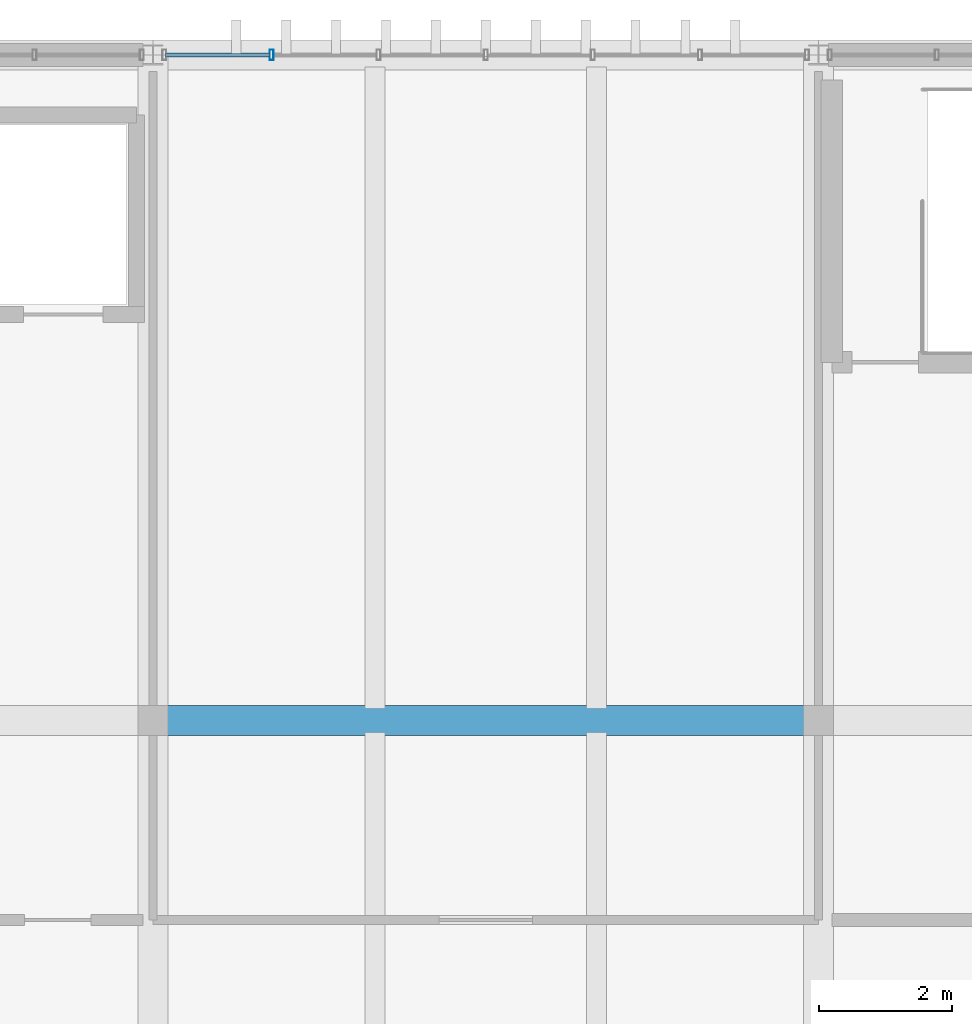
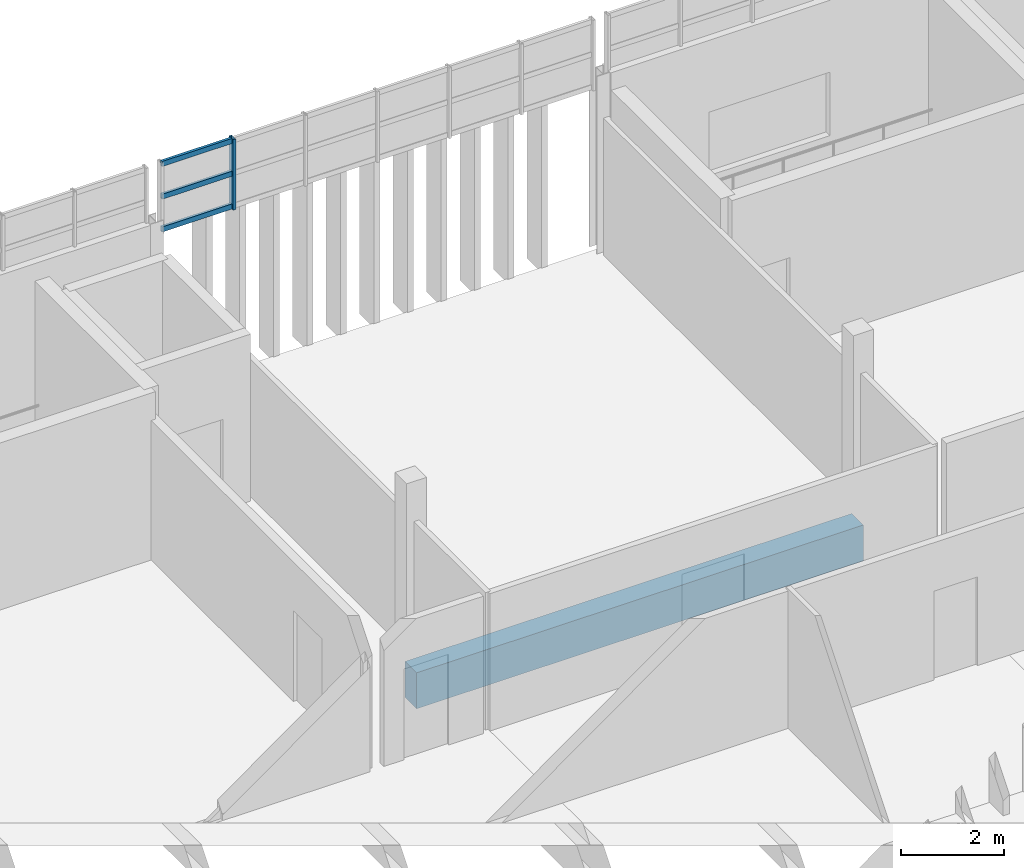
# One storey, part 24 of 36: 4 members, 1 beam, 1 element without a shape of its own.
"""IFC4 building model written with IfcOpenShell, lengths in metres."""

from ifc_helpers import new_model, si_unit, direction, frame, origin, origin_2d, place, context, subcontext, project, spatial, rectangle, hollow_rectangle, extrude, material, layer, layer_set, material_profile, profile_set, type_object, element, aggregate, save


model = new_model("IFC4")

# Units and contexts
model_context = context("Model", 3, precision=1e-05, world=origin(), true_north=direction((0.0, 1.0)))
body_context = subcontext(model_context, "Body", "Model", "MODEL_VIEW")
ifc_project = project(units=[si_unit("LENGTHUNIT", "METRE"), si_unit("AREAUNIT", "SQUARE_METRE"), si_unit("VOLUMEUNIT", "CUBIC_METRE"), si_unit("PLANEANGLEUNIT", "RADIAN"), si_unit("MASSUNIT", "GRAM", prefix="KILO")], contexts=[model_context])

# Site, building, storey
site_placement = place(None, origin())
site = spatial("IfcSite", under=ifc_project, at=site_placement, CompositionType="ELEMENT")
building_placement = place(site_placement, origin())
building = spatial("IfcBuilding", under=site, at=building_placement, Name="Mersad Railyard Sports Hall", CompositionType="ELEMENT")
storey_placement = place(building_placement, frame((0.0, 0.0, 21.60009765625)))
storey = spatial("IfcBuildingStorey", under=building, at=storey_placement, Name="L05", CompositionType="ELEMENT", Elevation=21.60009765625)

# Curtain wall, members
ifc_material_1 = material(Name="Aluminium 6063-T6", Category="aluminium")
ifc_layer = layer(ifc_material_1, 0.159912109375)
ifc_layer_set = layer_set([ifc_layer], Name="Aluminium 6063-T6")
curtain_wall_type = type_object("IfcCurtainWallType", Name="ARC-CW-CW51", PredefinedType="USERDEFINED", material=ifc_layer_set)
curtain_wall_placement = place(storey_placement, origin())
curtain_wall = element("IfcCurtainWall", 1, at=curtain_wall_placement, inside=storey, type_object=curtain_wall_type, Name="Curtain wall CW51-0135", ObjectType="CURTAIN WALL", PredefinedType="USERDEFINED")
ifc_material_profile_1 = material_profile(ifc_material_1, hollow_rectangle(XDim=0.06005859375, YDim=0.159912109375, WallThickness=0.00390625, at=origin_2d()), Name="AL MULLION 60x160x4")
ifc_profile_set_1 = profile_set([ifc_material_profile_1], Name="Aluminium 6063-T6")
member_type_1 = type_object("IfcMemberType", Name="ARC-CW-MUL01", PredefinedType="MULLION", material=ifc_profile_set_1)
member_1_placement = place(storey_placement, frame((102.780029296875, 115.0, 3.829833984375), z_axis=(0.0, 0.0, 1.0), x_axis=(1.0, 0.0, 0.0)))
member_1 = element("IfcMember", 2, at=member_1_placement, type_object=member_type_1, Name="CW51 Mullion 2", PredefinedType="MULLION", context=body_context, shape_type="SweptSolid", body=[
    extrude(hollow_rectangle(XDim=0.06005859375, YDim=0.159912109375, WallThickness=0.00390625, at=origin_2d()), origin(), (0.0, 0.0, 1.0), 1.670166015625),
])
ifc_material_profile_2 = material_profile(ifc_material_1, hollow_rectangle(XDim=0.06005859375, YDim=0.1201171875, WallThickness=0.00390625, at=origin_2d()), Name="AL TRANSOM 60x120x4")
ifc_profile_set_2 = profile_set([ifc_material_profile_2], Name="Aluminium 6063-T6")
member_type_2 = type_object("IfcMemberType", Name="ARC-CW-TRN01", PredefinedType="USERDEFINED", material=ifc_profile_set_2)
member_2_placement = place(storey_placement, frame((101.18994140625, 115.0, 3.889892578125), z_axis=(1.0, 0.0, 0.0), x_axis=(0.0, 1.0, 0.0)))
member_2 = element("IfcMember", 3, at=member_2_placement, type_object=member_type_2, Name="CW51 Transom 1-1", ObjectType="TRANSOM", PredefinedType="USERDEFINED", context=body_context, shape_type="SweptSolid", body=[
    extrude(hollow_rectangle(XDim=0.06005859375, YDim=0.1201171875, WallThickness=0.00390625, at=origin_2d()), origin(), (0.0, 0.0, 1.0), 1.570068359375),
])
member_3_placement = place(storey_placement, frame((101.18994140625, 115.0, 4.664794921875), z_axis=(1.0, 0.0, 0.0), x_axis=(0.0, 1.0, 0.0)))
member_3 = element("IfcMember", 4, at=member_3_placement, type_object=member_type_2, Name="CW51 Transom 2-1", ObjectType="TRANSOM", PredefinedType="USERDEFINED", context=body_context, shape_type="SweptSolid", body=[
    extrude(hollow_rectangle(XDim=0.06005859375, YDim=0.1201171875, WallThickness=0.00390625, at=origin_2d()), origin(), (0.0, 0.0, 1.0), 1.570068359375),
])
member_4_placement = place(storey_placement, frame((101.18994140625, 115.0, 5.43994140625), z_axis=(1.0, 0.0, 0.0), x_axis=(0.0, 1.0, 0.0)))
member_4 = element("IfcMember", 5, at=member_4_placement, type_object=member_type_2, Name="CW51 Transom 3-1", ObjectType="TRANSOM", PredefinedType="USERDEFINED", context=body_context, shape_type="SweptSolid", body=[
    extrude(hollow_rectangle(XDim=0.06005859375, YDim=0.1201171875, WallThickness=0.00390625, at=origin_2d()), origin(), (0.0, 0.0, 1.0), 1.570068359375),
])
aggregate(curtain_wall, [member_1, member_2, member_3, member_4])

# Beam
ifc_material_2 = material(Name="Concrete C40/50", Category="concrete")
ifc_material_profile_3 = material_profile(ifc_material_2, rectangle(XDim=0.449951171875, YDim=0.85009765625, at=origin_2d()), Name="RC 450x850")
ifc_profile_set_3 = profile_set([ifc_material_profile_3], Name="Concrete C40/50")
beam_type = type_object("IfcBeamType", Name="STR-BM-B02", PredefinedType="BEAM", material=ifc_profile_set_3)
beam_placement = place(storey_placement, frame((101.0, 105.0, -0.775146484375), z_axis=(1.0, 0.0, 0.0), x_axis=(0.0, 1.0, 0.0)))
element("IfcBeam", 6, at=beam_placement, inside=storey, type_object=beam_type, Name="Beam B02-1419", PredefinedType="BEAM", context=body_context, shape_type="SweptSolid", body=[
    extrude(rectangle(XDim=0.449951171875, YDim=0.85009765625, at=origin_2d()), origin(), (0.0, 0.0, 1.0), 10.0),
])

save(model, "model.ifc")
